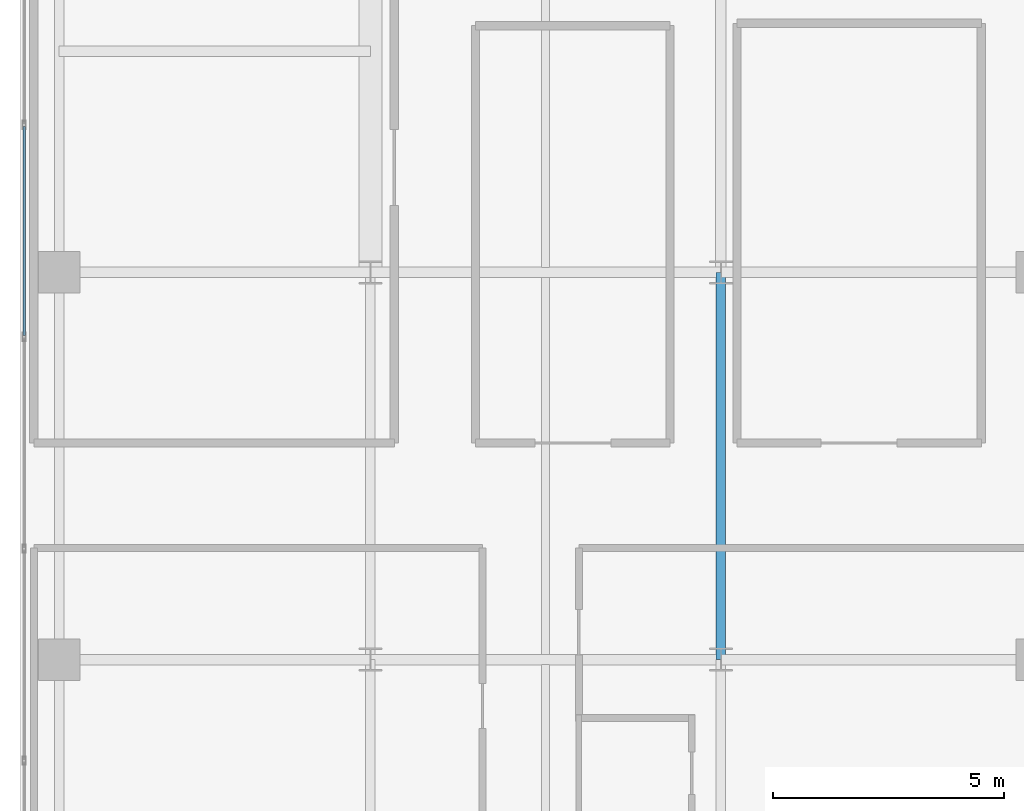
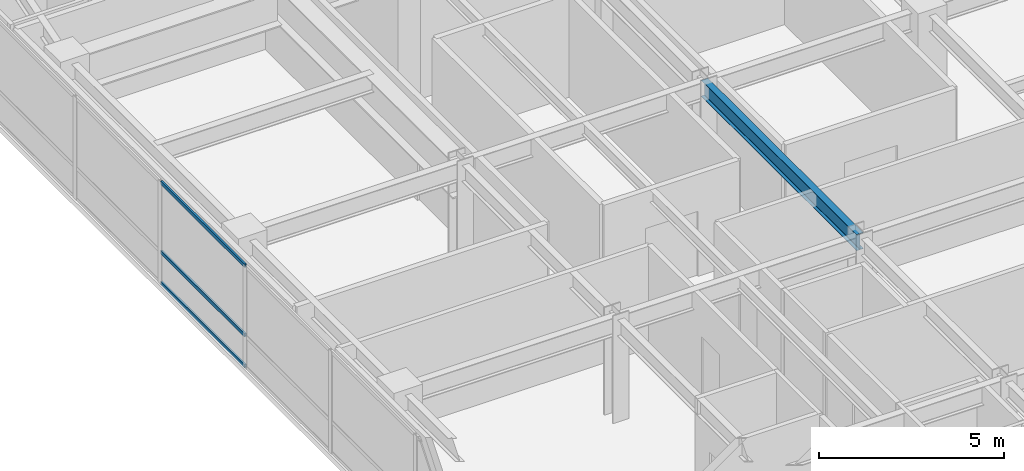
# One storey, part 10 of 30: 3 members, 1 beam, 1 element without a shape of its own.
"""IFC4 building model written with IfcOpenShell, lengths in metres."""

from ifc_helpers import new_model, si_unit, direction, frame, origin, origin_2d, place, context, subcontext, project, spatial, hollow_rectangle, i_section, extrude, source, transform, mapped, material, layer, layer_set, material_profile, profile_set, type_object, type_shapes, element, aggregate, save


model = new_model("IFC4")

# Units and contexts
model_context = context("Model", 3, precision=1e-05, world=origin(), true_north=direction((0.0, 1.0)))
body_context = subcontext(model_context, "Body", "Model", "MODEL_VIEW")
ifc_project = project(units=[si_unit("LENGTHUNIT", "METRE"), si_unit("AREAUNIT", "SQUARE_METRE"), si_unit("VOLUMEUNIT", "CUBIC_METRE"), si_unit("PLANEANGLEUNIT", "RADIAN"), si_unit("MASSUNIT", "GRAM", prefix="KILO")], contexts=[model_context])

# Site, building, storey
site_placement = place(None, origin())
site = spatial("IfcSite", under=ifc_project, at=site_placement, CompositionType="ELEMENT")
building_placement = place(site_placement, origin())
building = spatial("IfcBuilding", under=site, at=building_placement, Name="Tolvann Quenvar Hotel", CompositionType="ELEMENT")
storey_placement = place(building_placement, frame((0.0, 0.0, 100.89990234375)))
storey = spatial("IfcBuildingStorey", under=building, at=storey_placement, Name="L25", CompositionType="ELEMENT", Elevation=100.89990234375)

# Beam
ifc_material_1 = material(Name="Steel Grade 350", Category="steel")
ifc_material_profile_1 = material_profile(ifc_material_1, i_section(OverallWidth=0.208984375, OverallDepth=0.532958984375, WebThickness=0.01025390625, FlangeThickness=0.015625, FilletRadius=0.013916015625, at=origin_2d()), Name="530UB92")
ifc_profile_set_1 = profile_set([ifc_material_profile_1], Name="Steel Grade 350")
beam_type = type_object("IfcBeamType", Name="BM_GIRD_530UB92", PredefinedType="BEAM", material=ifc_profile_set_1)
shared_shape_1 = source(origin(), body_context, "Body", "SweptSolid", [
    extrude(i_section(OverallWidth=0.208984375, OverallDepth=0.532958984375, WebThickness=0.01025390625, FlangeThickness=0.015625, FilletRadius=0.013916015625, at=origin_2d()), origin(), (0.0, 0.0, 1.0), 8.39990234375),
])
type_shapes(beam_type, [shared_shape_1])
beam_placement = place(storey_placement, frame((15.199951171875, 16.0, 3.103515625), z_axis=(0.0, 1.0, 0.0), x_axis=(-1.0, 0.0, 0.0)))
element("IfcBeam", 1, at=beam_placement, inside=storey, type_object=beam_type, Name="BM-L25-NS-D4-D5", PredefinedType="BEAM", context=body_context, shape_type="MappedRepresentation", body=[
    mapped(shared_shape_1, transform((0.0, 0.0, 0.0), x_axis=(1.0, 0.0, 0.0), y_axis=(0.0, 1.0, 0.0), z_axis=(0.0, 0.0, 1.0), scale=1.0)),
])

# Curtain wall, members
ifc_material_2 = material(Name="Thermally broken anodised architectural aluminium 6063-T6 and laminated low-E glass", Category="aluminium")
ifc_layer = layer(ifc_material_2, 0.179931640625)
ifc_layer_set = layer_set([ifc_layer], Name="Thermally broken anodised architectural aluminium 6063-T6 and laminated low-E glass")
curtain_wall_type = type_object("IfcCurtainWallType", Name="CW_SYS_BAND_04", PredefinedType="USERDEFINED", material=ifc_layer_set)
curtain_wall_placement = place(storey_placement, origin())
curtain_wall = element("IfcCurtainWall", 2, at=curtain_wall_placement, inside=storey, type_object=curtain_wall_type, Name="Curtain Wall CW-BAND-04 (CWR-L25-E23)", ObjectType="UNITISED CURTAIN WALL", PredefinedType="USERDEFINED")
ifc_material_3 = material(Name="Anodised architectural aluminium 6063-T6 framing", Category="aluminium")
ifc_material_profile_2 = material_profile(ifc_material_3, hollow_rectangle(XDim=0.06005859375, YDim=0.1201171875, WallThickness=0.00341796875, at=origin_2d()), Name="120x60x3.5RHS")
ifc_profile_set_2 = profile_set([ifc_material_profile_2], Name="Anodised architectural aluminium 6063-T6 framing")
member_type = type_object("IfcMemberType", Name="CW_TRAN_120x60", PredefinedType="USERDEFINED", material=ifc_profile_set_2)
shared_shape_2 = source(origin(), body_context, "Body", "SweptSolid", [
    extrude(hollow_rectangle(XDim=0.06005859375, YDim=0.1201171875, WallThickness=0.00341796875, at=origin_2d()), origin(), (0.0, 0.0, 1.0), 4.52587890625),
])
type_shapes(member_type, [shared_shape_2])
member_1_placement = place(storey_placement, frame((0.090087890625, 27.560791015625, 0.030029296875), z_axis=(0.0, -1.0, 0.0), x_axis=(1.0, 0.0, 0.0)))
member_1 = element("IfcMember", 3, at=member_1_placement, type_object=member_type, Name="CW-BAND-04 transom 4.1", ObjectType="TRANSOM", PredefinedType="USERDEFINED", context=body_context, shape_type="MappedRepresentation", body=[
    mapped(shared_shape_2, transform((0.0, 0.0, 0.0), x_axis=(1.0, 0.0, 0.0), y_axis=(0.0, 1.0, 0.0), z_axis=(0.0, 0.0, 1.0), scale=1.0)),
])
member_2_placement = place(storey_placement, frame((0.090087890625, 27.560791015625, 1.050048828125), z_axis=(0.0, -1.0, 0.0), x_axis=(1.0, 0.0, 0.0)))
member_2 = element("IfcMember", 4, at=member_2_placement, type_object=member_type, Name="CW-BAND-04 transom 4.2", ObjectType="TRANSOM", PredefinedType="USERDEFINED", context=body_context, shape_type="MappedRepresentation", body=[
    mapped(shared_shape_2, transform((0.0, 0.0, 0.0), x_axis=(1.0, 0.0, 0.0), y_axis=(0.0, 1.0, 0.0), z_axis=(0.0, 0.0, 1.0), scale=1.0)),
])
member_3_placement = place(storey_placement, frame((0.090087890625, 27.560791015625, 3.340087890625), z_axis=(0.0, -1.0, 0.0), x_axis=(1.0, 0.0, 0.0)))
member_3 = element("IfcMember", 5, at=member_3_placement, type_object=member_type, Name="CW-BAND-04 transom 4.3", ObjectType="TRANSOM", PredefinedType="USERDEFINED", context=body_context, shape_type="MappedRepresentation", body=[
    mapped(shared_shape_2, transform((0.0, 0.0, 0.0), x_axis=(1.0, 0.0, 0.0), y_axis=(0.0, 1.0, 0.0), z_axis=(0.0, 0.0, 1.0), scale=1.0)),
])
aggregate(curtain_wall, [member_1, member_2, member_3])

save(model, "model.ifc")
